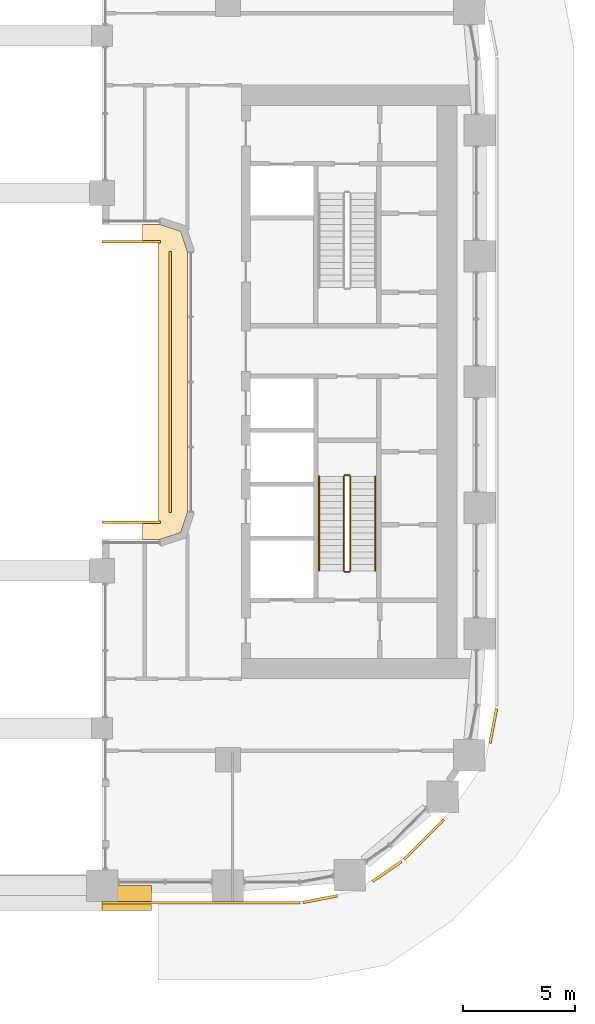
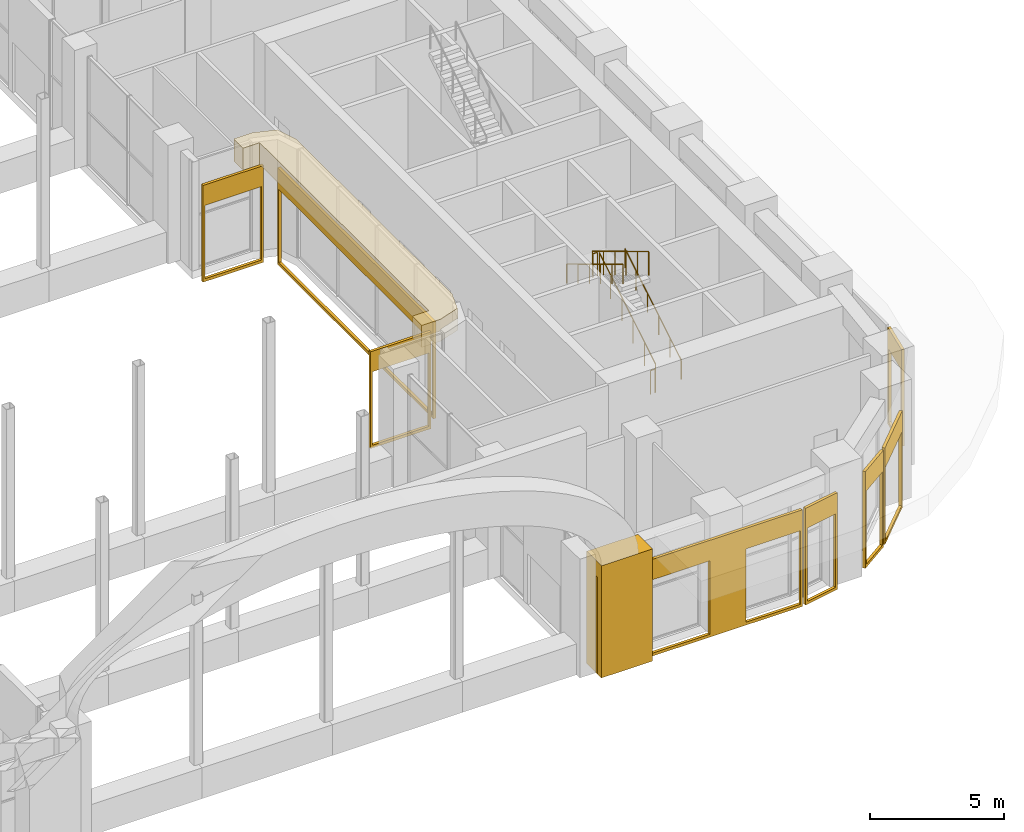
# One storey, part 24 of 27: 10 coverings, 6 railings.
"""IFC4 building model written with IfcOpenShell, lengths in metres."""

from ifc_helpers import new_model, si_unit, direction, frame, origin, origin_2d, place, context, subcontext, project, spatial, polyline, rectangle, circle, outline, extrude, material, layer, layer_set, type_object, element, save


model = new_model("IFC4")

# Units and contexts
model_context = context("Model", 3, precision=1e-05, world=origin(), true_north=direction((0.0, 1.0)))
body_context = subcontext(model_context, "Body", "Model", "MODEL_VIEW")
ifc_project = project(units=[si_unit("LENGTHUNIT", "METRE"), si_unit("AREAUNIT", "SQUARE_METRE"), si_unit("VOLUMEUNIT", "CUBIC_METRE"), si_unit("PLANEANGLEUNIT", "RADIAN"), si_unit("MASSUNIT", "GRAM", prefix="KILO")], contexts=[model_context])

# Site, building, storey
site_placement = place(None, origin())
site = spatial("IfcSite", under=ifc_project, at=site_placement, CompositionType="ELEMENT")
building_placement = place(site_placement, origin())
building = spatial("IfcBuilding", under=site, at=building_placement, Name="Kiln Ring Residences", CompositionType="ELEMENT")
storey_placement = place(building_placement, frame((0.0, 0.0, 72.5)))
storey = spatial("IfcBuildingStorey", under=building, at=storey_placement, Name="L18", CompositionType="ELEMENT", Elevation=72.5)

# Railings
ifc_material_1 = material(Name="Stainless steel", Category="steel")
railing_type_1 = type_object("IfcRailingType", Name="CORE-STAIR-GUARD", PredefinedType="GUARDRAIL", material=ifc_material_1)
railing_1_placement = place(storey_placement, frame((22.25, -8.39990234375, 0.168701171875)))
element("IfcRailing", 1, at=railing_1_placement, inside=storey, type_object=railing_type_1, Name="L18 E-STS stair guard 1", PredefinedType="GUARDRAIL", context=body_context, shape_type="SweptSolid", body=[
    extrude(circle(Radius=0.02392578125, at=origin_2d()), frame((0.0, 0.0, 1.076171875), z_axis=(0.0, 0.856476492594, 0.516186030065), x_axis=(-1.0, 0.0, 0.0)), (0.0, 0.0, 1.0), 4.90380859375),
    extrude(circle(Radius=0.02099609375, at=origin_2d()), origin(), (0.0, 0.0, 1.0), 1.052001953125),
    extrude(circle(Radius=0.02099609375, at=origin_2d()), frame((0.0, 0.840087890625, 0.50634765625)), (0.0, 0.0, 1.0), 1.052001953125),
    extrude(circle(Radius=0.02099609375, at=origin_2d()), frame((0.0, 1.679931640625, 1.012451171875)), (0.0, 0.0, 1.0), 1.052001953125),
    extrude(circle(Radius=0.02099609375, at=origin_2d()), frame((0.0, 2.52001953125, 1.518798828125)), (0.0, 0.0, 1.0), 1.052001953125),
    extrude(circle(Radius=0.02099609375, at=origin_2d()), frame((0.0, 3.35986328125, 2.02490234375)), (0.0, 0.0, 1.0), 1.052001953125),
    extrude(circle(Radius=0.02099609375, at=origin_2d()), frame((0.0, 4.199951171875, 2.53125)), (0.0, 0.0, 1.0), 1.052001953125),
])
railing_2_placement = place(storey_placement, frame((22.199951171875, -4.14990234375, 2.699951171875)))
element("IfcRailing", 2, at=railing_2_placement, inside=storey, type_object=railing_type_1, Name="L18 E-STS stair guard 2", PredefinedType="GUARDRAIL", context=body_context, shape_type="SweptSolid", body=[
    extrude(circle(Radius=0.02392578125, at=origin_2d()), frame((0.0, 0.0, 1.076171875), z_axis=(-1.0, 0.0, 0.0), x_axis=(0.0, -1.0, 0.0)), (0.0, 0.0, 1.0), 0.199951171875),
    extrude(circle(Radius=0.02099609375, at=origin_2d()), origin(), (0.0, 0.0, 1.0), 1.052001953125),
    extrude(circle(Radius=0.02099609375, at=origin_2d()), frame((-0.199951171875, 0.0, 0.0)), (0.0, 0.0, 1.0), 1.052001953125),
])
railing_3_placement = place(storey_placement, frame((21.949951171875, -4.199951171875, 2.86865234375)))
element("IfcRailing", 3, at=railing_3_placement, inside=storey, type_object=railing_type_1, Name="L18 E-STS stair guard 3", PredefinedType="GUARDRAIL", context=body_context, shape_type="SweptSolid", body=[
    extrude(circle(Radius=0.02392578125, at=origin_2d()), frame((0.0, 0.0, 1.076171875), z_axis=(0.0, -0.856476492594, 0.516186030065), x_axis=(1.0, 0.0, 0.0)), (0.0, 0.0, 1.0), 4.90380859375),
    extrude(circle(Radius=0.02099609375, at=origin_2d()), origin(), (0.0, 0.0, 1.0), 1.052001953125),
    extrude(circle(Radius=0.02099609375, at=origin_2d()), frame((0.0, -0.840087890625, 0.50634765625)), (0.0, 0.0, 1.0), 1.052001953125),
    extrude(circle(Radius=0.02099609375, at=origin_2d()), frame((0.0, -1.679931640625, 1.012451171875)), (0.0, 0.0, 1.0), 1.052001953125),
    extrude(circle(Radius=0.02099609375, at=origin_2d()), frame((0.0, -2.52001953125, 1.518798828125)), (0.0, 0.0, 1.0), 1.052001953125),
    extrude(circle(Radius=0.02099609375, at=origin_2d()), frame((0.0, -3.35986328125, 2.02490234375)), (0.0, 0.0, 1.0), 1.052001953125),
    extrude(circle(Radius=0.02099609375, at=origin_2d()), frame((0.0, -4.199951171875, 2.53125)), (0.0, 0.0, 1.0), 1.052001953125),
])
railing_4_placement = place(storey_placement, frame((22.199951171875, -8.449951171875, 0.0)))
element("IfcRailing", 4, at=railing_4_placement, inside=storey, type_object=railing_type_1, Name="L18 E-STS stair guard 4", PredefinedType="GUARDRAIL", context=body_context, shape_type="SweptSolid", body=[
    extrude(circle(Radius=0.02392578125, at=origin_2d()), frame((0.0, 0.0, 1.076171875), z_axis=(-1.0, 0.0, 0.0), x_axis=(0.0, -1.0, 0.0)), (0.0, 0.0, 1.0), 0.199951171875),
    extrude(circle(Radius=0.02099609375, at=origin_2d()), origin(), (0.0, 0.0, 1.0), 1.052001953125),
    extrude(circle(Radius=0.02099609375, at=origin_2d()), frame((-0.199951171875, 0.0, 0.0)), (0.0, 0.0, 1.0), 1.052001953125),
])
ifc_material_2 = material(Name="Stainless steel", Category="steel")
railing_type_2 = type_object("IfcRailingType", Name="CORE-STAIR-HANDRAIL", PredefinedType="HANDRAIL", material=ifc_material_2)
railing_5_placement = place(storey_placement, frame((23.35009765625, -8.39990234375, 0.168701171875)))
element("IfcRailing", 5, at=railing_5_placement, inside=storey, type_object=railing_type_2, Name="L18 E-STS stair handrail 1", PredefinedType="HANDRAIL", context=body_context, shape_type="SweptSolid", body=[
    extrude(circle(Radius=0.02392578125, at=origin_2d()), frame((0.0, 0.0, 0.8759765625), z_axis=(0.0, 0.856476492594, 0.516186030065), x_axis=(-1.0, 0.0, 0.0)), (0.0, 0.0, 1.0), 4.90380859375),
    extrude(circle(Radius=0.02099609375, at=origin_2d()), origin(), (0.0, 0.0, 1.0), 0.851806640625),
    extrude(circle(Radius=0.02099609375, at=origin_2d()), frame((0.0, 0.840087890625, 0.50634765625)), (0.0, 0.0, 1.0), 0.851806640625),
    extrude(circle(Radius=0.02099609375, at=origin_2d()), frame((0.0, 1.679931640625, 1.012451171875)), (0.0, 0.0, 1.0), 0.851806640625),
    extrude(circle(Radius=0.02099609375, at=origin_2d()), frame((0.0, 2.52001953125, 1.518798828125)), (0.0, 0.0, 1.0), 0.851806640625),
    extrude(circle(Radius=0.02099609375, at=origin_2d()), frame((0.0, 3.35986328125, 2.02490234375)), (0.0, 0.0, 1.0), 0.851806640625),
    extrude(circle(Radius=0.02099609375, at=origin_2d()), frame((0.0, 4.199951171875, 2.53125)), (0.0, 0.0, 1.0), 0.851806640625),
])
railing_6_placement = place(storey_placement, frame((20.85009765625, -4.199951171875, 2.86865234375)))
element("IfcRailing", 6, at=railing_6_placement, inside=storey, type_object=railing_type_2, Name="L18 E-STS stair handrail 2", PredefinedType="HANDRAIL", context=body_context, shape_type="SweptSolid", body=[
    extrude(circle(Radius=0.02392578125, at=origin_2d()), frame((0.0, 0.0, 0.8759765625), z_axis=(0.0, -0.856476492594, 0.516186030065), x_axis=(1.0, 0.0, 0.0)), (0.0, 0.0, 1.0), 4.90380859375),
    extrude(circle(Radius=0.02099609375, at=origin_2d()), origin(), (0.0, 0.0, 1.0), 0.851806640625),
    extrude(circle(Radius=0.02099609375, at=origin_2d()), frame((0.0, -0.840087890625, 0.50634765625)), (0.0, 0.0, 1.0), 0.851806640625),
    extrude(circle(Radius=0.02099609375, at=origin_2d()), frame((0.0, -1.679931640625, 1.012451171875)), (0.0, 0.0, 1.0), 0.851806640625),
    extrude(circle(Radius=0.02099609375, at=origin_2d()), frame((0.0, -2.52001953125, 1.518798828125)), (0.0, 0.0, 1.0), 0.851806640625),
    extrude(circle(Radius=0.02099609375, at=origin_2d()), frame((0.0, -3.35986328125, 2.02490234375)), (0.0, 0.0, 1.0), 0.851806640625),
    extrude(circle(Radius=0.02099609375, at=origin_2d()), frame((0.0, -4.199951171875, 2.53125)), (0.0, 0.0, 1.0), 0.851806640625),
])

# Coverings
ifc_material_3 = material(Name="Concrete C35/45, exposed aggregate finish", Category="concrete")
covering_type_1 = type_object("IfcCoveringType", Name="PORTAL JAMB 1400 x 700", PredefinedType="CLADDING", material=ifc_material_3)
covering_1_placement = place(storey_placement, frame((12.300048828125, -22.949951171875, 0.0), z_axis=(0.0, 0.0, 1.0), x_axis=(1.0, 0.0, 0.0)))
element("IfcCovering", 7, at=covering_1_placement, inside=storey, type_object=covering_type_1, Name="PORTAL JAMB L18", PredefinedType="CLADDING", context=body_context, shape_type="SweptSolid", body=[
    extrude(rectangle(XDim=2.199951171875, YDim=1.10009765625, at=origin_2d()), origin(), (0.0, 0.0, 1.0), 5.10009765625),
])
ifc_material_4 = material(Name="Brick masonry, dark clay brick", Category="masonry")
ifc_layer_1 = layer(ifc_material_4, 0.1201171875)
ifc_layer_set_1 = layer_set([ifc_layer_1], Name="RAINSCREEN PANEL 120")
covering_type_2 = type_object("IfcCoveringType", Name="RAINSCREEN PANEL 120", PredefinedType="CLADDING", material=ifc_layer_set_1)
covering_2_placement = place(storey_placement, frame((13.800048828125, -6.239990234375, 0.0), z_axis=(0.0, 0.0, 1.0), x_axis=(-1.0, 0.0, 0.0)))
element("IfcCovering", 8, at=covering_2_placement, inside=storey, type_object=covering_type_2, Name="RAINSCREEN L18", PredefinedType="CLADDING", context=body_context, shape_type="SweptSolid", body=[
    extrude(outline(polyline([(0.0, 0.0), (2.60009765625, 0.0), (2.60009765625, 4.39990234375), (0.0, 4.39990234375), (0.0, 0.0)]), holes=[polyline([(0.080078125, 3.469970703125), (0.080078125, 0.1298828125), (2.52001953125, 0.1298828125), (2.52001953125, 3.469970703125), (0.080078125, 3.469970703125)])]), frame((0.0, 0.06005859375, 0.0), z_axis=(0.0, -1.0, 0.0), x_axis=(1.0, 0.0, 0.0)), (0.0, 0.0, 1.0), 0.1201171875),
])
covering_3_placement = place(storey_placement, frame((11.199951171875, -23.159912109375, 0.0), z_axis=(0.0, 0.0, 1.0), x_axis=(1.0, 0.0, 0.0)))
element("IfcCovering", 9, at=covering_3_placement, inside=storey, type_object=covering_type_2, Name="RAINSCREEN L18", PredefinedType="CLADDING", context=body_context, shape_type="SweptSolid", body=[
    extrude(outline(polyline([(0.0, 0.0), (8.800048828125, 0.0), (8.800048828125, 4.39990234375), (0.0, 4.39990234375), (0.0, 0.0)]), holes=[polyline([(4.820068359375, 3.469970703125), (0.780029296875, 3.469970703125), (0.780029296875, 0.1298828125), (4.820068359375, 0.1298828125), (4.820068359375, 3.469970703125)]), polyline([(8.719970703125, 3.469970703125), (6.3798828125, 3.469970703125), (6.3798828125, 0.1298828125), (8.719970703125, 0.1298828125), (8.719970703125, 3.469970703125)])]), frame((0.0, 0.06005859375, 0.0), z_axis=(0.0, -1.0, 0.0), x_axis=(1.0, 0.0, 0.0)), (0.0, 0.0, 1.0), 0.1201171875),
])
for number, where, z_axis, x_axis, name in (
    (10, (20.142333984375, -23.146484375, 0.0), (0.0, 0.0, 1.0), (0.982297345734, 0.187328386968, 0.0), "RAINSCREEN L18"),
    (11, (23.2373046875, -22.206298828125, 0.0), (0.0, 0.0, 1.0), (0.827019875346, 0.562172683241, 0.0), "RAINSCREEN L18"),
):
    element("IfcCovering", number, at=place(storey_placement, frame(where, z_axis=z_axis, x_axis=x_axis)), inside=storey, type_object=covering_type_2, Name=name, PredefinedType="CLADDING", context=body_context, shape_type="SweptSolid", body=[
        extrude(outline(polyline([(0.0, 0.0), (1.55615234375, 0.0), (1.55615234375, 4.39990234375), (0.0, 4.39990234375), (0.0, 0.0)]), holes=[polyline([(0.080078125, 3.469970703125), (0.080078125, 0.1298828125), (1.47607421875, 0.1298828125), (1.47607421875, 3.469970703125), (0.080078125, 3.469970703125)])]), frame((0.0, 0.06005859375, 0.0), z_axis=(0.0, -1.0, 0.0), x_axis=(1.0, 0.0, 0.0)), (0.0, 0.0, 1.0), 0.1201171875),
    ])
covering_4_placement = place(storey_placement, frame((24.634521484375, -21.240234375, 0.0), z_axis=(0.0, 0.0, 1.0), x_axis=(0.707155609469, 0.707057949532, 0.0)))
element("IfcCovering", 12, at=covering_4_placement, inside=storey, type_object=covering_type_2, Name="RAINSCREEN L18", PredefinedType="CLADDING", context=body_context, shape_type="SweptSolid", body=[
    extrude(outline(polyline([(0.0, 0.0), (2.5, 0.0), (2.5, 4.39990234375), (0.0, 4.39990234375), (0.0, 0.0)]), holes=[polyline([(0.080078125, 3.469970703125), (0.080078125, 0.1298828125), (2.419921875, 0.1298828125), (2.419921875, 3.469970703125), (0.080078125, 3.469970703125)])]), frame((0.0, 0.06005859375, 0.0), z_axis=(0.0, -1.0, 0.0), x_axis=(1.0, 0.0, 0.0)), (0.0, 0.0, 1.0), 0.1201171875),
])
covering_5_placement = place(storey_placement, frame((28.455078125, -16.071044921875, 0.0), z_axis=(0.0, 0.0, 1.0), x_axis=(0.187328386968, 0.982297345734, 0.0)))
element("IfcCovering", 13, at=covering_5_placement, inside=storey, type_object=covering_type_2, Name="RAINSCREEN L18", PredefinedType="CLADDING", context=body_context, shape_type="SweptSolid", body=[
    extrude(outline(polyline([(0.0, 0.0), (1.55615234375, 0.0), (1.55615234375, 4.39990234375), (0.0, 4.39990234375), (0.0, 0.0)]), holes=[polyline([(0.080078125, 3.469970703125), (0.080078125, 0.1298828125), (1.47607421875, 0.1298828125), (1.47607421875, 3.469970703125), (0.080078125, 3.469970703125)])]), frame((0.0, 0.06005859375, 0.0), z_axis=(0.0, -1.0, 0.0), x_axis=(1.0, 0.0, 0.0)), (0.0, 0.0, 1.0), 0.1201171875),
])
covering_6_placement = place(storey_placement, frame((11.199951171875, 6.239990234375, 0.0), z_axis=(0.0, 0.0, 1.0), x_axis=(1.0, 0.0, 0.0)))
element("IfcCovering", 14, at=covering_6_placement, inside=storey, type_object=covering_type_2, Name="RAINSCREEN L18", PredefinedType="CLADDING", context=body_context, shape_type="SweptSolid", body=[
    extrude(outline(polyline([(0.0, 0.0), (2.60009765625, 0.0), (2.60009765625, 4.39990234375), (0.0, 4.39990234375), (0.0, 0.0)]), holes=[polyline([(0.080078125, 3.469970703125), (0.080078125, 0.1298828125), (2.52001953125, 0.1298828125), (2.52001953125, 3.469970703125), (0.080078125, 3.469970703125)])]), frame((0.0, 0.06005859375, 0.0), z_axis=(0.0, -1.0, 0.0), x_axis=(1.0, 0.0, 0.0)), (0.0, 0.0, 1.0), 0.1201171875),
])
covering_7_placement = place(storey_placement, frame((14.239990234375, 5.800048828125, 0.0), z_axis=(0.0, 0.0, 1.0), x_axis=(0.0, -1.0, 0.0)))
element("IfcCovering", 15, at=covering_7_placement, inside=storey, type_object=covering_type_2, Name="RAINSCREEN L18", PredefinedType="CLADDING", context=body_context, shape_type="SweptSolid", body=[
    extrude(outline(polyline([(0.0, 0.0), (11.60009765625, 0.0), (11.60009765625, 4.39990234375), (0.0, 4.39990234375), (0.0, 0.0)]), holes=[polyline([(0.080078125, 3.469970703125), (0.080078125, 0.1298828125), (11.52001953125, 0.1298828125), (11.52001953125, 3.469970703125), (0.080078125, 3.469970703125)])]), frame((0.0, 0.06005859375, 0.0), z_axis=(0.0, -1.0, 0.0), x_axis=(1.0, 0.0, 0.0)), (0.0, 0.0, 1.0), 0.1201171875),
])
ifc_material_5 = material(Name="Black powder-coated steel", Category="steel")
ifc_layer_2 = layer(ifc_material_5, 1.0)
ifc_layer_set_2 = layer_set([ifc_layer_2], Name="SUNSHADE FIN 3500")
covering_type_3 = type_object("IfcCoveringType", Name="SUNSHADE FIN 3500", PredefinedType="CLADDING", material=ifc_layer_set_2)
covering_8_placement = place(storey_placement, frame((0.0, 0.0, 4.39990234375)))
element("IfcCovering", 16, at=covering_8_placement, inside=storey, type_object=covering_type_3, Name="SUNSHADE FIN L18", PredefinedType="CLADDING", context=body_context, shape_type="SweptSolid", body=[
    extrude(outline(polyline([(13.686279296875, 6.300048828125), (13.699951171875, 6.29541015625), (13.699951171875, -6.29541015625), (13.686279296875, -6.300048828125), (12.989990234375, -6.300048828125), (12.989990234375, -7.0), (13.800048828125, -7.0), (14.699951171875, -6.699951171875), (15.0, -5.800048828125), (15.0, 5.800048828125), (14.699951171875, 6.699951171875), (13.800048828125, 7.0), (12.989990234375, 7.0), (12.989990234375, 6.300048828125), (13.686279296875, 6.300048828125)])), origin(), (0.0, 0.0, 1.0), 1.0),
])

save(model, "model.ifc")
